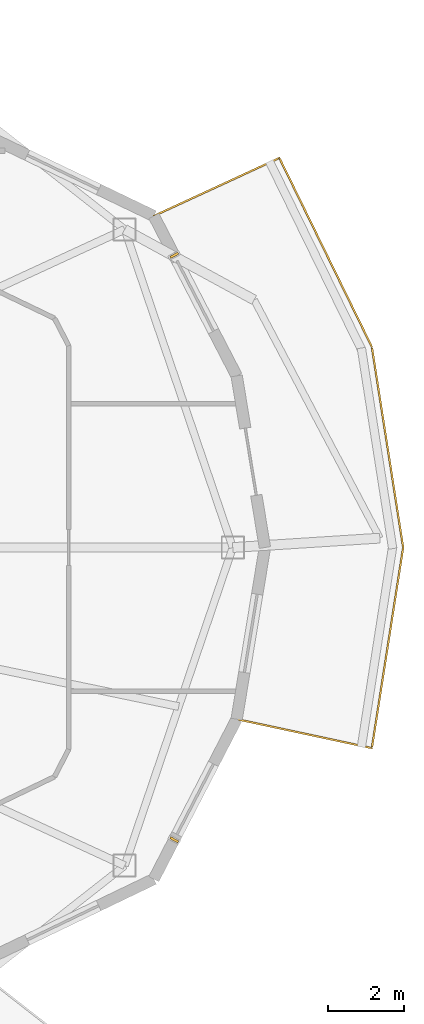
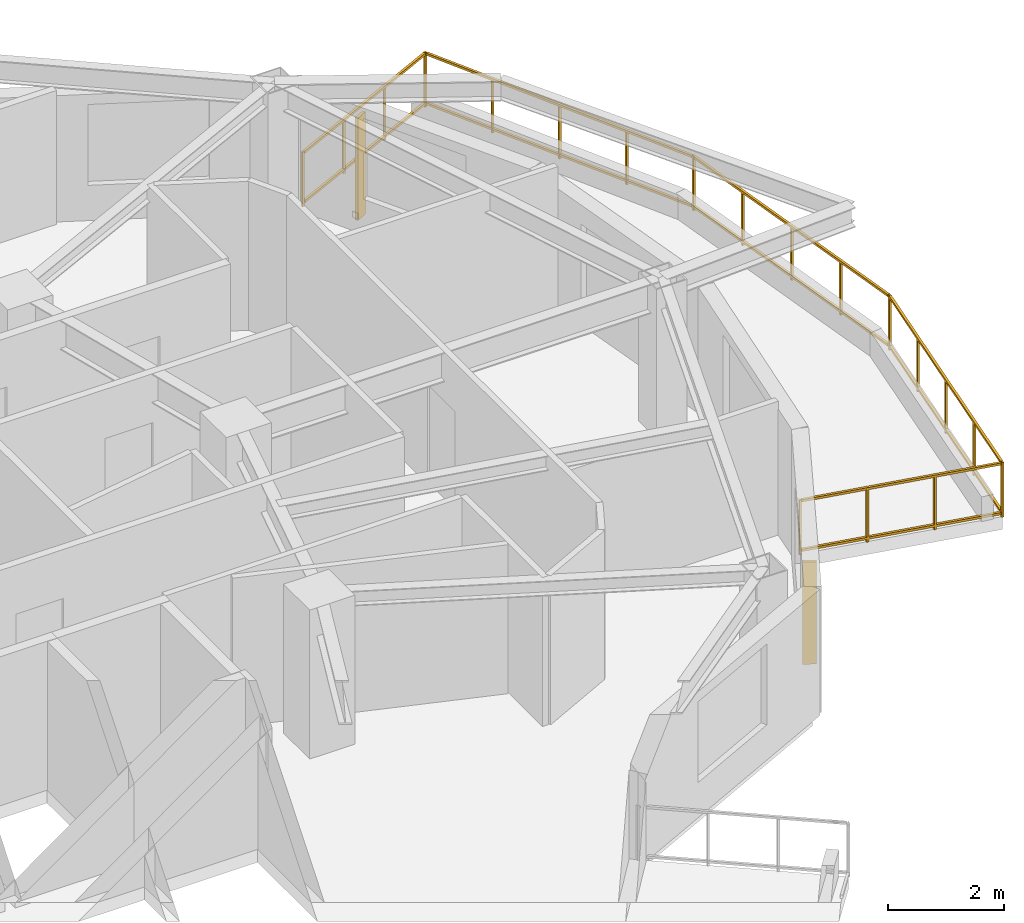
# One storey, part 11 of 12: 2 shading devices, 1 railing.
"""IFC4 building model written with IfcOpenShell, lengths in metres."""

from ifc_helpers import new_model, si_unit, direction, frame, origin, origin_2d, place, context, subcontext, project, spatial, rectangle, extrude, material, type_object, element, save


model = new_model("IFC4")

# Units and contexts
model_context = context("Model", 3, precision=1e-05, world=origin(), true_north=direction((0.0, 1.0)))
body_context = subcontext(model_context, "Body", "Model", "MODEL_VIEW")
ifc_project = project(units=[si_unit("LENGTHUNIT", "METRE"), si_unit("AREAUNIT", "SQUARE_METRE"), si_unit("VOLUMEUNIT", "CUBIC_METRE"), si_unit("PLANEANGLEUNIT", "RADIAN"), si_unit("MASSUNIT", "GRAM", prefix="KILO")], contexts=[model_context])

# Site, building, storey
site_placement = place(None, origin())
site = spatial("IfcSite", under=ifc_project, at=site_placement, CompositionType="ELEMENT")
building_placement = place(site_placement, origin())
building = spatial("IfcBuilding", under=site, at=building_placement, Name="Kolvaren Gate Tower and Convention Centre", CompositionType="ELEMENT")
storey_placement = place(building_placement, frame((0.0, 0.0, 180.10009765625)))
storey = spatial("IfcBuildingStorey", under=building, at=storey_placement, Name="L47", CompositionType="ELEMENT", Elevation=180.10009765625)

# Railing
ifc_material_1 = material(Name="Brushed Stainless Steel Grade 316L", Category="steel")
railing_type = type_object("IfcRailingType", Name="ARCH-RL-GUARD-1150", PredefinedType="GUARDRAIL", material=ifc_material_1)
railing_placement = place(storey_placement, frame((51.31494140625, 22.457763671875, 0.0)))
element("IfcRailing", 1, at=railing_placement, inside=storey, type_object=railing_type, Name="Tower L47 Terrace Perimeter Guardrail GR-4", PredefinedType="GUARDRAIL", context=body_context, shape_type="SweptSolid", body=[
    extrude(rectangle(XDim=0.048095703125, YDim=0.048095703125, at=origin_2d()), frame((0.02734375, -0.005859375, 1.1259765625), z_axis=(0.977791675321, -0.209579196661, 0.0), x_axis=(0.209579196661, 0.977791675321, 0.0)), (0.0, 0.0, 1.0), 3.60400390625),
    extrude(rectangle(XDim=0.048095703125, YDim=0.048095703125, at=origin_2d()), frame((0.02734375, -0.005859375, 0.083984375), z_axis=(0.977791675321, -0.209579196661, 0.0), x_axis=(0.209579196661, 0.977791675321, 0.0)), (0.0, 0.0, 1.0), 3.60400390625),
    extrude(rectangle(XDim=0.048095703125, YDim=0.048095703125, at=origin_2d()), frame((3.583251953125, -0.7392578125, 1.1259765625), z_axis=(0.154200861408, 0.988039520637, 0.0), x_axis=(-0.988039520637, 0.154200861408, 0.0)), (0.0, 0.0, 1.0), 5.3173828125),
    extrude(rectangle(XDim=0.048095703125, YDim=0.048095703125, at=origin_2d()), frame((3.583251953125, -0.7392578125, 0.083984375), z_axis=(0.154200861408, 0.988039520637, 0.0), x_axis=(-0.988039520637, 0.154200861408, 0.0)), (0.0, 0.0, 1.0), 5.3173828125),
    extrude(rectangle(XDim=0.048095703125, YDim=0.048095703125, at=origin_2d()), frame((4.403076171875, 4.570068359375, 1.1259765625), z_axis=(-0.154200861408, 0.988039520637, 0.0), x_axis=(-0.988039520637, -0.154200861408, 0.0)), (0.0, 0.0, 1.0), 5.3173828125),
    extrude(rectangle(XDim=0.048095703125, YDim=0.048095703125, at=origin_2d()), frame((4.403076171875, 4.570068359375, 0.083984375), z_axis=(-0.154200861408, 0.988039520637, 0.0), x_axis=(-0.988039520637, -0.154200861408, 0.0)), (0.0, 0.0, 1.0), 5.3173828125),
    extrude(rectangle(XDim=0.048095703125, YDim=0.048095703125, at=origin_2d()), frame((3.56640625, 9.876708984375, 1.1259765625), z_axis=(-0.439655234701, 0.898166618507, 0.0), x_axis=(-0.898166618507, -0.439655234701, 0.0)), (0.0, 0.0, 1.0), 5.51123046875),
    extrude(rectangle(XDim=0.048095703125, YDim=0.048095703125, at=origin_2d()), frame((3.56640625, 9.876708984375, 0.083984375), z_axis=(-0.439655234701, 0.898166618507, 0.0), x_axis=(-0.898166618507, -0.439655234701, 0.0)), (0.0, 0.0, 1.0), 5.51123046875),
    extrude(rectangle(XDim=0.048095703125, YDim=0.048095703125, at=origin_2d()), frame((1.105712890625, 14.84033203125, 1.1259765625), z_axis=(-0.907820723829, -0.419358478377, 0.0), x_axis=(0.419358478377, -0.907820723829, 0.0)), (0.0, 0.0, 1.0), 3.60400390625),
    extrude(rectangle(XDim=0.048095703125, YDim=0.048095703125, at=origin_2d()), frame((1.105712890625, 14.84033203125, 0.083984375), z_axis=(-0.907820723829, -0.419358478377, 0.0), x_axis=(0.419358478377, -0.907820723829, 0.0)), (0.0, 0.0, 1.0), 3.60400390625),
    extrude(rectangle(XDim=0.0419921875, YDim=0.0419921875, at=origin_2d()), origin(), (0.0, 0.0, 1.0), 1.14990234375),
    extrude(rectangle(XDim=0.0419921875, YDim=0.0419921875, at=origin_2d()), frame((3.578857421875, -0.76708984375, 0.0)), (0.0, 0.0, 1.0), 1.14990234375),
    extrude(rectangle(XDim=0.0419921875, YDim=0.0419921875, at=origin_2d()), frame((1.19287109375, -0.255615234375, 0.0)), (0.0, 0.0, 1.0), 1.099853515625),
    extrude(rectangle(XDim=0.0419921875, YDim=0.0419921875, at=origin_2d()), frame((2.385986328125, -0.511474609375, 0.0)), (0.0, 0.0, 1.0), 1.099853515625),
    extrude(rectangle(XDim=0.0419921875, YDim=0.0419921875, at=origin_2d()), frame((4.407470703125, 4.542236328125, 0.0)), (0.0, 0.0, 1.0), 1.14990234375),
    extrude(rectangle(XDim=0.0419921875, YDim=0.0419921875, at=origin_2d()), frame((3.7861328125, 0.560302734375, 0.0)), (0.0, 0.0, 1.0), 1.099853515625),
    extrude(rectangle(XDim=0.0419921875, YDim=0.0419921875, at=origin_2d()), frame((3.9931640625, 1.8876953125, 0.0)), (0.0, 0.0, 1.0), 1.099853515625),
    extrude(rectangle(XDim=0.0419921875, YDim=0.0419921875, at=origin_2d()), frame((4.2001953125, 3.21484375, 0.0)), (0.0, 0.0, 1.0), 1.099853515625),
    extrude(rectangle(XDim=0.0419921875, YDim=0.0419921875, at=origin_2d()), frame((3.578857421875, 9.8515625, 0.0)), (0.0, 0.0, 1.0), 1.14990234375),
    extrude(rectangle(XDim=0.0419921875, YDim=0.0419921875, at=origin_2d()), frame((4.2001953125, 5.86962890625, 0.0)), (0.0, 0.0, 1.0), 1.099853515625),
    extrude(rectangle(XDim=0.0419921875, YDim=0.0419921875, at=origin_2d()), frame((3.9931640625, 7.19677734375, 0.0)), (0.0, 0.0, 1.0), 1.099853515625),
    extrude(rectangle(XDim=0.0419921875, YDim=0.0419921875, at=origin_2d()), frame((3.7861328125, 8.524169921875, 0.0)), (0.0, 0.0, 1.0), 1.099853515625),
    extrude(rectangle(XDim=0.0419921875, YDim=0.0419921875, at=origin_2d()), frame((1.131103515625, 14.85205078125, 0.0)), (0.0, 0.0, 1.0), 1.14990234375),
    extrude(rectangle(XDim=0.0419921875, YDim=0.0419921875, at=origin_2d()), frame((2.966796875, 11.1015625, 0.0)), (0.0, 0.0, 1.0), 1.099853515625),
    extrude(rectangle(XDim=0.0419921875, YDim=0.0419921875, at=origin_2d()), frame((2.35498046875, 12.351806640625, 0.0)), (0.0, 0.0, 1.0), 1.099853515625),
    extrude(rectangle(XDim=0.0419921875, YDim=0.0419921875, at=origin_2d()), frame((1.7431640625, 13.60205078125, 0.0)), (0.0, 0.0, 1.0), 1.099853515625),
    extrude(rectangle(XDim=0.0419921875, YDim=0.0419921875, at=origin_2d()), frame((-2.191650390625, 13.317138671875, 0.0)), (0.0, 0.0, 1.0), 1.14990234375),
    extrude(rectangle(XDim=0.0419921875, YDim=0.0419921875, at=origin_2d()), frame((0.0234375, 14.34033203125, 0.0)), (0.0, 0.0, 1.0), 1.099853515625),
    extrude(rectangle(XDim=0.0419921875, YDim=0.0419921875, at=origin_2d()), frame((-1.083984375, 13.828857421875, 0.0)), (0.0, 0.0, 1.0), 1.099853515625),
])

# Shading devices
ifc_material_2 = material(Name="Kiln-Fired Bogota Terracotta Ceramic Louvre Profile", Category="masonry")
shading_device_type = type_object("IfcShadingDeviceType", Name="ARCH-SHD-FIN-180", PredefinedType="JALOUSIE", material=ifc_material_2)
for number, where, z_axis, x_axis, name in (
    (2, (49.66259765625, 34.7333984375, 0.219970703125), (0.0, 0.0, 1.0), (0.459798409467, -0.888023323259, 0.0), "Ceramic Vertical Brise-Soleil Fin FN-L47-01"),
    (3, (49.66259765625, 19.2666015625, 0.219970703125), (0.0, 0.0, 1.0), (0.459798409467, 0.888023323259, 0.0), "Ceramic Vertical Brise-Soleil Fin FN-L47-22"),
):
    element("IfcShadingDevice", number, at=place(storey_placement, frame(where, z_axis=z_axis, x_axis=x_axis)), inside=storey, type_object=shading_device_type, Name=name, PredefinedType="JALOUSIE", context=body_context, shape_type="SweptSolid", body=[
        extrude(rectangle(XDim=0.06005859375, YDim=0.239990234375, at=origin_2d()), origin(), (0.0, 0.0, 1.0), 2.14990234375),
    ])

save(model, "model.ifc")
